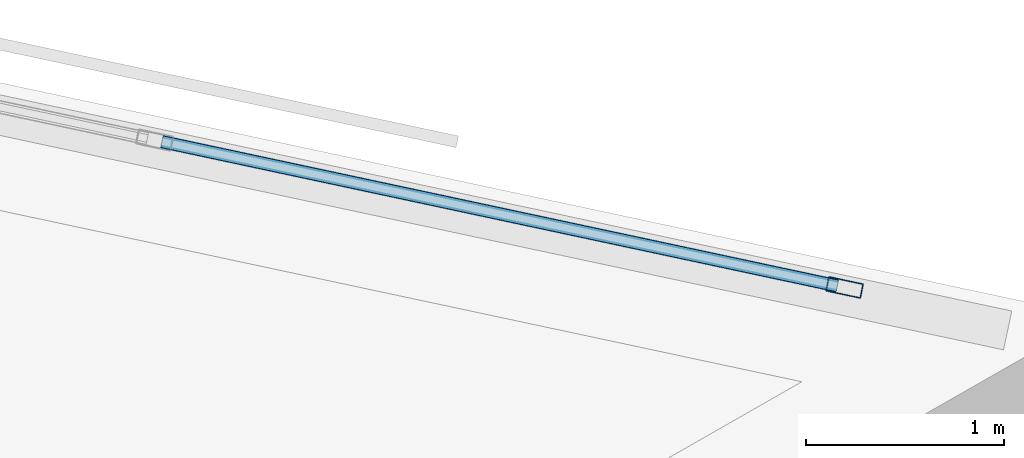
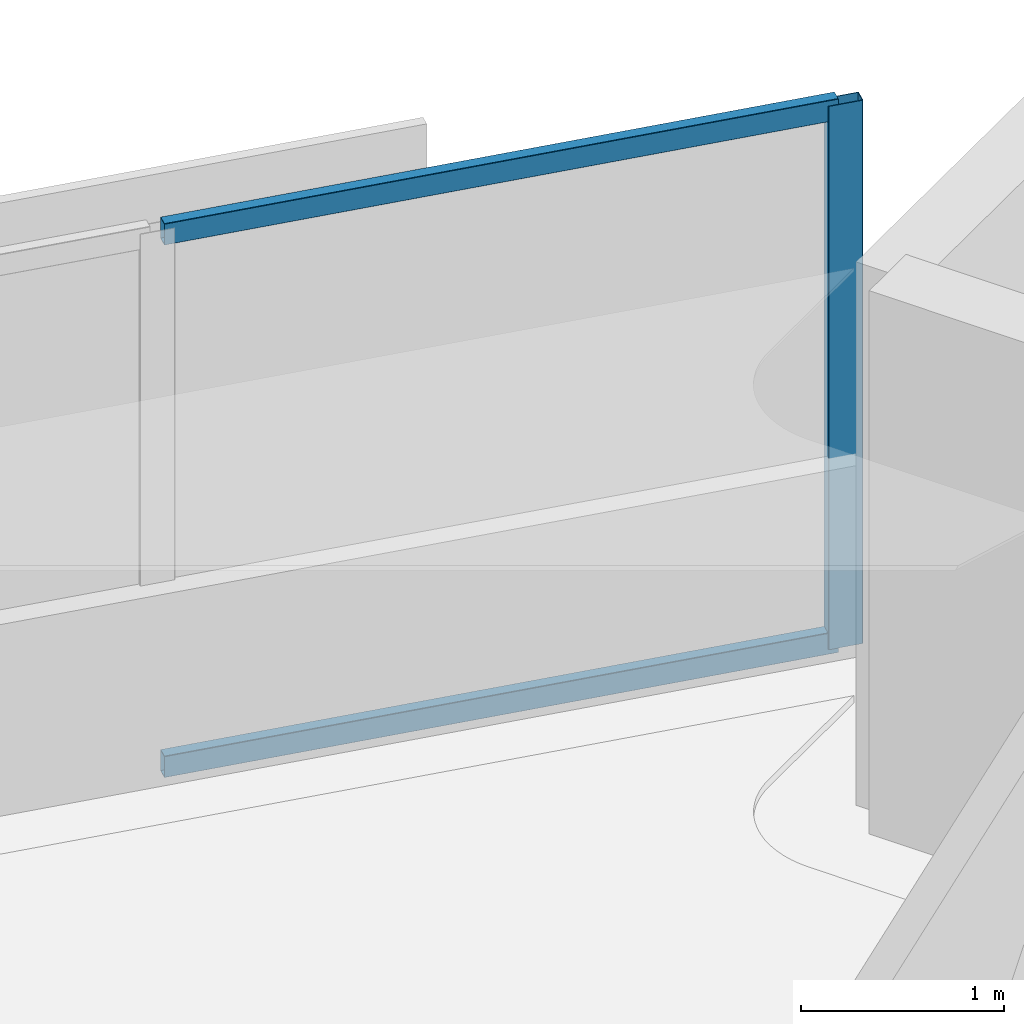
# One storey, part 6 of 14: 3 members, 1 element without a shape of its own.
"""IFC4 building model written with IfcOpenShell, lengths in metres."""

from ifc_helpers import new_model, si_unit, direction, frame, origin, origin_2d, place, context, subcontext, project, spatial, hollow_rectangle, extrude, material, material_profile, profile_set, type_object, element, aggregate, save


model = new_model("IFC4")

# Units and contexts
model_context = context("Model", 3, precision=1e-05, world=origin(), true_north=direction((0.0, 1.0)))
body_context = subcontext(model_context, "Body", "Model", "MODEL_VIEW")
ifc_project = project(units=[si_unit("LENGTHUNIT", "METRE"), si_unit("AREAUNIT", "SQUARE_METRE"), si_unit("VOLUMEUNIT", "CUBIC_METRE"), si_unit("PLANEANGLEUNIT", "RADIAN"), si_unit("MASSUNIT", "GRAM", prefix="KILO")], contexts=[model_context])

# Site, building, storey
site_placement = place(None, origin())
site = spatial("IfcSite", under=ifc_project, at=site_placement, CompositionType="ELEMENT")
building_placement = place(site_placement, origin())
building = spatial("IfcBuilding", under=site, at=building_placement, Name="Narakoshi Arena Tower", CompositionType="ELEMENT")
storey_placement = place(building_placement, frame((0.0, 0.0, 214.97998046875)))
storey = spatial("IfcBuildingStorey", under=building, at=storey_placement, Name="L58", CompositionType="ELEMENT", Elevation=214.97998046875)

# Curtain wall, members
ifc_material = material(Name="Anodised bronze aluminium 6063-T6", Category="aluminium")
curtain_wall_type = type_object("IfcCurtainWallType", Name="CW-HYP-MID", PredefinedType="NOTDEFINED", material=ifc_material)
curtain_wall_placement = place(storey_placement, origin())
curtain_wall = element("IfcCurtainWall", 1, at=curtain_wall_placement, inside=storey, type_object=curtain_wall_type, Name="L58 Folded Hypotenuse Curtain Wall 1-1", PredefinedType="NOTDEFINED")
ifc_material_profile_1 = material_profile(ifc_material, hollow_rectangle(XDim=0.074951171875, YDim=0.179931640625, WallThickness=0.00390625, OuterFilletRadius=0.0048828125, at=origin_2d()), Name="MUL180x75x4")
ifc_profile_set_1 = profile_set([ifc_material_profile_1], Name="Anodised bronze aluminium 6063-T6")
member_type_1 = type_object("IfcMemberType", Name="MEM-MUL-180", PredefinedType="MULLION", material=ifc_profile_set_1)
member_1_placement = place(storey_placement, frame((115.57373046875, 56.938232421875, 0.0), z_axis=(0.0, 0.0, 1.0), x_axis=(-0.208899163248, -0.977937185914, 0.0)))
member_1 = element("IfcMember", 2, at=member_1_placement, type_object=member_type_1, Name="CW-02 mullion 1", PredefinedType="MULLION", context=body_context, shape_type="SweptSolid", body=[
    extrude(hollow_rectangle(XDim=0.074951171875, YDim=0.179931640625, WallThickness=0.00390625, OuterFilletRadius=0.0048828125, at=origin_2d()), origin(), (0.0, 0.0, 1.0), 3.260009765625),
])
ifc_material_profile_2 = material_profile(ifc_material, hollow_rectangle(XDim=0.06494140625, YDim=0.1298828125, WallThickness=0.00390625, OuterFilletRadius=0.0048828125, at=origin_2d()), Name="TRN130x65x4")
ifc_profile_set_2 = profile_set([ifc_material_profile_2], Name="Anodised bronze aluminium 6063-T6")
member_type_2 = type_object("IfcMemberType", Name="MEM-TRN-130", PredefinedType="USERDEFINED", material=ifc_profile_set_2)
member_2_placement = place(storey_placement, frame((115.537109375, 56.946044921875, 0.032470703125), z_axis=(-0.977942813259, 0.20887281775, 0.0), x_axis=(-0.20887281775, -0.977942813259, 0.0)))
member_2 = element("IfcMember", 3, at=member_2_placement, type_object=member_type_2, Name="CW-02 transom 1.1", ObjectType="TRANSOM", PredefinedType="USERDEFINED", context=body_context, shape_type="SweptSolid", body=[
    extrude(hollow_rectangle(XDim=0.06494140625, YDim=0.1298828125, WallThickness=0.00390625, OuterFilletRadius=0.0048828125, at=origin_2d()), origin(), (0.0, 0.0, 1.0), 3.480712890625),
])
member_3_placement = place(storey_placement, frame((115.537109375, 56.946044921875, 3.2275390625), z_axis=(-0.977942813259, 0.20887281775, 0.0), x_axis=(-0.20887281775, -0.977942813259, 0.0)))
member_3 = element("IfcMember", 4, at=member_3_placement, type_object=member_type_2, Name="CW-02 transom 1.2", ObjectType="TRANSOM", PredefinedType="USERDEFINED", context=body_context, shape_type="SweptSolid", body=[
    extrude(hollow_rectangle(XDim=0.06494140625, YDim=0.1298828125, WallThickness=0.00390625, OuterFilletRadius=0.0048828125, at=origin_2d()), origin(), (0.0, 0.0, 1.0), 3.480712890625),
])
aggregate(curtain_wall, [member_1, member_2, member_3])

save(model, "model.ifc")
